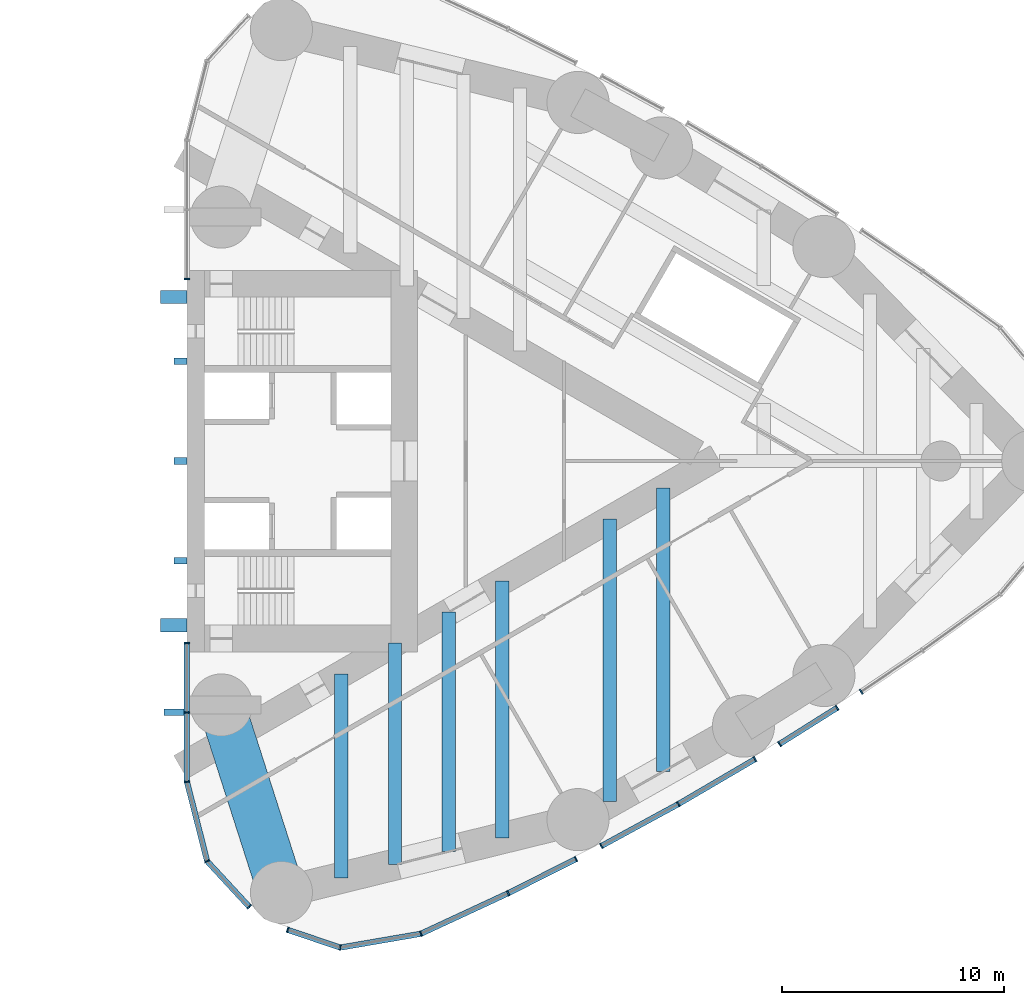
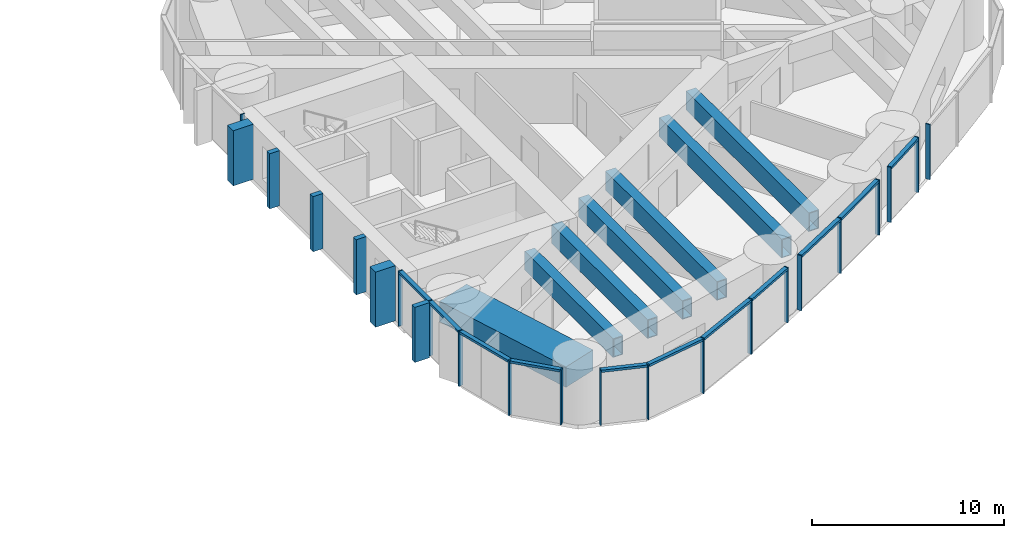
# One storey, part 6 of 17: 34 members, 7 beams, 6 elements without a shape of their own.
"""IFC4 building model written with IfcOpenShell, lengths in metres."""

from ifc_helpers import new_model, si_unit, direction, frame, origin, origin_2d, place, context, subcontext, project, spatial, rectangle, hollow_rectangle, extrude, material, material_profile, profile_set, type_object, element, aggregate, save


model = new_model("IFC4")

# Units and contexts
model_context = context("Model", 3, precision=1e-05, world=origin(), true_north=direction((0.0, 1.0)))
body_context = subcontext(model_context, "Body", "Model", "MODEL_VIEW")
ifc_project = project(units=[si_unit("LENGTHUNIT", "METRE"), si_unit("AREAUNIT", "SQUARE_METRE"), si_unit("VOLUMEUNIT", "CUBIC_METRE"), si_unit("PLANEANGLEUNIT", "RADIAN"), si_unit("MASSUNIT", "GRAM", prefix="KILO")], contexts=[model_context])

# Site, building, storey
site_placement = place(None, origin())
site = spatial("IfcSite", under=ifc_project, at=site_placement, CompositionType="ELEMENT")
building_placement = place(site_placement, origin())
building = spatial("IfcBuilding", under=site, at=building_placement, Name="Lancet Gate Hotel", CompositionType="ELEMENT")
storey_placement = place(building_placement, frame((0.0, 0.0, 201.800048828125)))
storey = spatial("IfcBuildingStorey", under=building, at=storey_placement, Name="L54", CompositionType="ELEMENT", Elevation=201.800048828125)

# Curtain wall, members
ifc_material_1 = material(Name="Aluminium curtain wall", Category="aluminium")
curtain_wall_type = type_object("IfcCurtainWallType", Name="Tower unitised curtain wall", PredefinedType="USERDEFINED", material=ifc_material_1)
curtain_wall_1_placement = place(storey_placement, origin())
curtain_wall_1 = element("IfcCurtainWall", 1, at=curtain_wall_1_placement, inside=storey, type_object=curtain_wall_type, Name="T2 L54 curtain wall 1", ObjectType="UNITISED CURTAIN WALL", PredefinedType="USERDEFINED")
ifc_material_2 = material(Name="Aluminium mullion", Category="aluminium")
ifc_material_profile_1 = material_profile(ifc_material_2, rectangle(XDim=0.06494140625, YDim=0.25, at=origin_2d()), Name="MULLION 65x250")
ifc_profile_set_1 = profile_set([ifc_material_profile_1], Name="Aluminium mullion")
member_type_1 = type_object("IfcMemberType", Name="Aluminium mullion 65x250", PredefinedType="MULLION", material=ifc_profile_set_1)
member_1_placement = place(storey_placement, frame((27.5, -8.199951171875, 0.0), z_axis=(0.0, 0.0, 1.0), x_axis=(0.0, -1.0, 0.0)))
member_1 = element("IfcMember", 2, at=member_1_placement, type_object=member_type_1, Name="T2 L54 curtain wall 1 mullion 1", PredefinedType="MULLION", context=body_context, shape_type="SweptSolid", body=[
    extrude(rectangle(XDim=0.06494140625, YDim=0.25, at=origin_2d()), origin(), (0.0, 0.0, 1.0), 3.5),
])
member_2_placement = place(storey_placement, frame((27.5, -11.332763671875, 0.0), z_axis=(0.0, 0.0, 1.0), x_axis=(0.0, -1.0, 0.0)))
member_2 = element("IfcMember", 3, at=member_2_placement, type_object=member_type_1, Name="T2 L54 curtain wall 1 mullion 2", PredefinedType="MULLION", context=body_context, shape_type="SweptSolid", body=[
    extrude(rectangle(XDim=0.06494140625, YDim=0.25, at=origin_2d()), origin(), (0.0, 0.0, 1.0), 3.5),
])
member_3_placement = place(storey_placement, frame((27.5, -14.465576171875, 0.0), z_axis=(0.0, 0.0, 1.0), x_axis=(0.134206524909, -0.990953383703, 0.0)))
member_3 = element("IfcMember", 4, at=member_3_placement, type_object=member_type_1, Name="T2 L54 curtain wall 1 mullion 3", PredefinedType="MULLION", context=body_context, shape_type="SweptSolid", body=[
    extrude(rectangle(XDim=0.06494140625, YDim=0.25, at=origin_2d()), origin(), (0.0, 0.0, 1.0), 3.5),
])
member_4_placement = place(storey_placement, frame((28.408935546875, -18.04443359375, 0.0), z_axis=(0.0, 0.0, 1.0), x_axis=(0.446204766842, -0.894930894565, 0.0)))
member_4 = element("IfcMember", 5, at=member_4_placement, type_object=member_type_1, Name="T2 L54 curtain wall 1 mullion 4", PredefinedType="MULLION", context=body_context, shape_type="SweptSolid", body=[
    extrude(rectangle(XDim=0.06494140625, YDim=0.25, at=origin_2d()), origin(), (0.0, 0.0, 1.0), 3.5),
])
member_5_placement = place(storey_placement, frame((30.309326171875, -20.10009765625, 0.0), z_axis=(0.0, 0.0, 1.0), x_axis=(0.67883123083, -0.734294327943, 0.0)))
member_5 = element("IfcMember", 6, at=member_5_placement, type_object=member_type_1, Name="T2 L54 curtain wall 1 mullion 5", PredefinedType="MULLION", context=body_context, shape_type="SweptSolid", body=[
    extrude(rectangle(XDim=0.06494140625, YDim=0.25, at=origin_2d()), origin(), (0.0, 0.0, 1.0), 3.5),
])

curtain_wall_2_placement = place(storey_placement, origin())
curtain_wall_2 = element("IfcCurtainWall", 7, at=curtain_wall_2_placement, inside=storey, type_object=curtain_wall_type, Name="T2 L54 curtain wall 2", ObjectType="UNITISED CURTAIN WALL", PredefinedType="USERDEFINED")
member_6_placement = place(storey_placement, frame((32.04248046875, -21.13818359375, 0.0), z_axis=(0.0, 0.0, 1.0), x_axis=(0.946952368511, -0.321373943827, 0.0)))
member_6 = element("IfcMember", 8, at=member_6_placement, type_object=member_type_1, Name="T2 L54 curtain wall 2 mullion 1", PredefinedType="MULLION", context=body_context, shape_type="SweptSolid", body=[
    extrude(rectangle(XDim=0.06494140625, YDim=0.25, at=origin_2d()), origin(), (0.0, 0.0, 1.0), 3.5),
])
member_7_placement = place(storey_placement, frame((34.412109375, -21.9423828125, 0.0), z_axis=(0.0, 0.0, 1.0), x_axis=(0.999558824872, -0.029701104706, 0.0)))
member_7 = element("IfcMember", 9, at=member_7_placement, type_object=member_type_1, Name="T2 L54 curtain wall 2 mullion 2", PredefinedType="MULLION", context=body_context, shape_type="SweptSolid", body=[
    extrude(rectangle(XDim=0.06494140625, YDim=0.25, at=origin_2d()), origin(), (0.0, 0.0, 1.0), 3.5),
])
member_8_placement = place(storey_placement, frame((38.05126953125, -21.31689453125, 0.0), z_axis=(0.0, 0.0, 1.0), x_axis=(0.951355493327, 0.308095318555, 0.0)))
member_8 = element("IfcMember", 10, at=member_8_placement, type_object=member_type_1, Name="T2 L54 curtain wall 2 mullion 3", PredefinedType="MULLION", context=body_context, shape_type="SweptSolid", body=[
    extrude(rectangle(XDim=0.06494140625, YDim=0.25, at=origin_2d()), origin(), (0.0, 0.0, 1.0), 3.5),
])
member_9_placement = place(storey_placement, frame((41.98193359375, -19.490966796875, 0.0), z_axis=(0.0, 0.0, 1.0), x_axis=(0.900945073021, 0.433933146232, 0.0)))
member_9 = element("IfcMember", 11, at=member_9_placement, type_object=member_type_1, Name="T2 L54 curtain wall 2 mullion 4", PredefinedType="MULLION", context=body_context, shape_type="SweptSolid", body=[
    extrude(rectangle(XDim=0.06494140625, YDim=0.25, at=origin_2d()), origin(), (0.0, 0.0, 1.0), 3.5),
])
member_10_placement = place(storey_placement, frame((45.04443359375, -17.94873046875, 0.0), z_axis=(0.0, 0.0, 1.0), x_axis=(0.893121465596, 0.449815570752, 0.0)))
member_10 = element("IfcMember", 12, at=member_10_placement, type_object=member_type_1, Name="T2 L54 curtain wall 2 mullion 5", PredefinedType="MULLION", context=body_context, shape_type="SweptSolid", body=[
    extrude(rectangle(XDim=0.06494140625, YDim=0.25, at=origin_2d()), origin(), (0.0, 0.0, 1.0), 3.5),
])

curtain_wall_3_placement = place(storey_placement, origin())
curtain_wall_3 = element("IfcCurtainWall", 13, at=curtain_wall_3_placement, inside=storey, type_object=curtain_wall_type, Name="T2 L54 curtain wall 3", ObjectType="UNITISED CURTAIN WALL", PredefinedType="USERDEFINED")
member_11_placement = place(storey_placement, frame((46.186279296875, -17.360107421875, 0.0), z_axis=(0.0, 0.0, 1.0), x_axis=(0.878409907967, 0.477907976063, 0.0)))
member_11 = element("IfcMember", 14, at=member_11_placement, type_object=member_type_1, Name="T2 L54 curtain wall 3 mullion 1", PredefinedType="MULLION", context=body_context, shape_type="SweptSolid", body=[
    extrude(rectangle(XDim=0.06494140625, YDim=0.25, at=origin_2d()), origin(), (0.0, 0.0, 1.0), 3.5),
])
member_12_placement = place(storey_placement, frame((49.65966796875, -15.47021484375, 0.0), z_axis=(0.0, 0.0, 1.0), x_axis=(0.870672329718, 0.491863491492, 0.0)))
member_12 = element("IfcMember", 15, at=member_12_placement, type_object=member_type_1, Name="T2 L54 curtain wall 3 mullion 2", PredefinedType="MULLION", context=body_context, shape_type="SweptSolid", body=[
    extrude(rectangle(XDim=0.06494140625, YDim=0.25, at=origin_2d()), origin(), (0.0, 0.0, 1.0), 3.5),
])
member_13_placement = place(storey_placement, frame((53.114990234375, -13.44580078125, 0.0), z_axis=(0.0, 0.0, 1.0), x_axis=(0.862815009772, 0.505519790822, 0.0)))
member_13 = element("IfcMember", 16, at=member_13_placement, type_object=member_type_1, Name="T2 L54 curtain wall 3 mullion 3", PredefinedType="MULLION", context=body_context, shape_type="SweptSolid", body=[
    extrude(rectangle(XDim=0.06494140625, YDim=0.25, at=origin_2d()), origin(), (0.0, 0.0, 1.0), 3.5),
])

curtain_wall_4_placement = place(storey_placement, origin())
curtain_wall_4 = element("IfcCurtainWall", 17, at=curtain_wall_4_placement, inside=storey, type_object=curtain_wall_type, Name="T2 L54 curtain wall 4", ObjectType="UNITISED CURTAIN WALL", PredefinedType="USERDEFINED")
member_14_placement = place(storey_placement, frame((54.219970703125, -12.7626953125, 0.0), z_axis=(0.0, 0.0, 1.0), x_axis=(0.846352453444, 0.532623248225, 0.0)))
member_14 = element("IfcMember", 18, at=member_14_placement, type_object=member_type_1, Name="T2 L54 curtain wall 4 mullion 1", PredefinedType="MULLION", context=body_context, shape_type="SweptSolid", body=[
    extrude(rectangle(XDim=0.06494140625, YDim=0.25, at=origin_2d()), origin(), (0.0, 0.0, 1.0), 3.5),
])
member_15_placement = place(storey_placement, frame((56.81591796875, -11.129150390625, 0.0), z_axis=(0.0, 0.0, 1.0), x_axis=(0.846352453444, 0.532623248225, 0.0)))
member_15 = element("IfcMember", 19, at=member_15_placement, type_object=member_type_1, Name="T2 L54 curtain wall 4 mullion 2", PredefinedType="MULLION", context=body_context, shape_type="SweptSolid", body=[
    extrude(rectangle(XDim=0.06494140625, YDim=0.25, at=origin_2d()), origin(), (0.0, 0.0, 1.0), 3.5),
])

# Curtain wall, member
curtain_wall_5_placement = place(storey_placement, origin())
curtain_wall_5 = element("IfcCurtainWall", 20, at=curtain_wall_5_placement, inside=storey, type_object=curtain_wall_type, Name="T2 L54 curtain wall 5", ObjectType="UNITISED CURTAIN WALL", PredefinedType="USERDEFINED")
member_16_placement = place(storey_placement, frame((57.90673828125, -10.404541015625, 0.0), z_axis=(0.0, 0.0, 1.0), x_axis=(0.829038793948, 0.559191092677, 0.0)))
member_16 = element("IfcMember", 21, at=member_16_placement, type_object=member_type_1, Name="T2 L54 curtain wall 5 mullion 1", PredefinedType="MULLION", context=body_context, shape_type="SweptSolid", body=[
    extrude(rectangle(XDim=0.06494140625, YDim=0.25, at=origin_2d()), origin(), (0.0, 0.0, 1.0), 3.5),
])
aggregate(curtain_wall_5, [member_16])

curtain_wall_6_placement = place(storey_placement, origin())
curtain_wall_6 = element("IfcCurtainWall", 22, at=curtain_wall_6_placement, inside=storey, type_object=curtain_wall_type, Name="T2 L54 curtain wall 10", ObjectType="UNITISED CURTAIN WALL", PredefinedType="USERDEFINED")
member_17_placement = place(storey_placement, frame((27.5, 8.199951171875, 0.0), z_axis=(0.0, 0.0, 1.0), x_axis=(0.0, -1.0, 0.0)))
member_17 = element("IfcMember", 23, at=member_17_placement, type_object=member_type_1, Name="T2 L54 curtain wall 10 mullion 5", PredefinedType="MULLION", context=body_context, shape_type="SweptSolid", body=[
    extrude(rectangle(XDim=0.06494140625, YDim=0.25, at=origin_2d()), origin(), (0.0, 0.0, 1.0), 3.5),
])
aggregate(curtain_wall_6, [member_17])

# Member
ifc_material_3 = material(Name="Aluminium transom", Category="aluminium")
ifc_material_profile_2 = material_profile(ifc_material_3, rectangle(XDim=0.25, YDim=0.14990234375, at=origin_2d()), Name="TRANSOM 250x150")
ifc_profile_set_2 = profile_set([ifc_material_profile_2], Name="Aluminium transom")
member_type_2 = type_object("IfcMemberType", Name="Aluminium transom 250x150", PredefinedType="USERDEFINED", material=ifc_profile_set_2)
member_18_placement = place(storey_placement, frame((27.5, -8.232421875, 3.425048828125), z_axis=(0.0, -1.0, 0.0), x_axis=(1.0, 0.0, 0.0)))
member_18 = element("IfcMember", 24, at=member_18_placement, type_object=member_type_2, Name="T2 L54 curtain wall 1 transom 1", ObjectType="TRANSOM", PredefinedType="USERDEFINED", context=body_context, shape_type="SweptSolid", body=[
    extrude(rectangle(XDim=0.25, YDim=0.14990234375, at=origin_2d()), origin(), (0.0, 0.0, 1.0), 3.06787109375),
])

member_19_placement = place(storey_placement, frame((27.5, -11.365234375, 3.425048828125), z_axis=(0.0, -1.0, 0.0), x_axis=(1.0, 0.0, 0.0)))
member_19 = element("IfcMember", 25, at=member_19_placement, type_object=member_type_2, Name="T2 L54 curtain wall 1 transom 2", ObjectType="TRANSOM", PredefinedType="USERDEFINED", context=body_context, shape_type="SweptSolid", body=[
    extrude(rectangle(XDim=0.25, YDim=0.14990234375, at=origin_2d()), origin(), (0.0, 0.0, 1.0), 3.06787109375),
])

member_20_placement = place(storey_placement, frame((27.508056640625, -14.4970703125, 3.425048828125), z_axis=(0.246128756616, -0.969237140831, 0.0), x_axis=(0.969237140831, 0.246128756616, 0.0)))
member_20 = element("IfcMember", 26, at=member_20_placement, type_object=member_type_2, Name="T2 L54 curtain wall 1 transom 3", ObjectType="TRANSOM", PredefinedType="USERDEFINED", context=body_context, shape_type="SweptSolid", body=[
    extrude(rectangle(XDim=0.25, YDim=0.14990234375, at=origin_2d()), origin(), (0.0, 0.0, 1.0), 3.62744140625),
])

member_21_placement = place(storey_placement, frame((28.43115234375, -18.068359375, 3.425048828125), z_axis=(0.678791722298, -0.734330850326, 0.0), x_axis=(0.734330850326, 0.678791722298, 0.0)))
member_21 = element("IfcMember", 27, at=member_21_placement, type_object=member_type_2, Name="T2 L54 curtain wall 1 transom 4", ObjectType="TRANSOM", PredefinedType="USERDEFINED", context=body_context, shape_type="SweptSolid", body=[
    extrude(rectangle(XDim=0.25, YDim=0.14990234375, at=origin_2d()), origin(), (0.0, 0.0, 1.0), 2.734130859375),
])

member_22_placement = place(storey_placement, frame((32.0732421875, -21.148681640625, 3.425048828125), z_axis=(0.946936244004, -0.321421451979, 0.0), x_axis=(0.321421451979, 0.946936244004, 0.0)))
member_22 = element("IfcMember", 28, at=member_22_placement, type_object=member_type_2, Name="T2 L54 curtain wall 2 transom 1", ObjectType="TRANSOM", PredefinedType="USERDEFINED", context=body_context, shape_type="SweptSolid", body=[
    extrude(rectangle(XDim=0.25, YDim=0.14990234375, at=origin_2d()), origin(), (0.0, 0.0, 1.0), 2.4375),
])

member_23_placement = place(storey_placement, frame((34.444091796875, -21.93701171875, 3.425048828125), z_axis=(0.985536950873, 0.169460669373, 0.0), x_axis=(-0.169460669373, 0.985536950873, 0.0)))
member_23 = element("IfcMember", 29, at=member_23_placement, type_object=member_type_2, Name="T2 L54 curtain wall 2 transom 2", ObjectType="TRANSOM", PredefinedType="USERDEFINED", context=body_context, shape_type="SweptSolid", body=[
    extrude(rectangle(XDim=0.25, YDim=0.14990234375, at=origin_2d()), origin(), (0.0, 0.0, 1.0), 3.627685546875),
])

member_24_placement = place(storey_placement, frame((38.080810546875, -21.30322265625, 3.425048828125), z_axis=(0.906913768492, 0.421316290357, 0.0), x_axis=(-0.421316290357, 0.906913768492, 0.0)))
member_24 = element("IfcMember", 30, at=member_24_placement, type_object=member_type_2, Name="T2 L54 curtain wall 2 transom 3", ObjectType="TRANSOM", PredefinedType="USERDEFINED", context=body_context, shape_type="SweptSolid", body=[
    extrude(rectangle(XDim=0.25, YDim=0.14990234375, at=origin_2d()), origin(), (0.0, 0.0, 1.0), 4.26904296875),
])

member_25_placement = place(storey_placement, frame((42.010986328125, -19.476318359375, 3.425048828125), z_axis=(0.893146167773, 0.449766520534, 0.0), x_axis=(-0.449766520534, 0.893146167773, 0.0)))
member_25 = element("IfcMember", 31, at=member_25_placement, type_object=member_type_2, Name="T2 L54 curtain wall 2 transom 4", ObjectType="TRANSOM", PredefinedType="USERDEFINED", context=body_context, shape_type="SweptSolid", body=[
    extrude(rectangle(XDim=0.25, YDim=0.14990234375, at=origin_2d()), origin(), (0.0, 0.0, 1.0), 3.36376953125),
])

aggregate(curtain_wall_2, [member_6, member_7, member_8, member_9, member_10, member_22, member_23, member_24, member_25])

member_26_placement = place(storey_placement, frame((46.21484375, -17.344482421875, 3.425048828125), z_axis=(0.878410858378, 0.477906229174, 0.0), x_axis=(-0.477906229174, 0.878410858378, 0.0)))
member_26 = element("IfcMember", 32, at=member_26_placement, type_object=member_type_2, Name="T2 L54 curtain wall 3 transom 1", ObjectType="TRANSOM", PredefinedType="USERDEFINED", context=body_context, shape_type="SweptSolid", body=[
    extrude(rectangle(XDim=0.25, YDim=0.14990234375, at=origin_2d()), origin(), (0.0, 0.0, 1.0), 3.88916015625),
])

member_27_placement = place(storey_placement, frame((49.687744140625, -15.453857421875, 3.425048828125), z_axis=(0.862815408154, 0.505519110868, 0.0), x_axis=(-0.505519110868, 0.862815408154, 0.0)))
member_27 = element("IfcMember", 33, at=member_27_placement, type_object=member_type_2, Name="T2 L54 curtain wall 3 transom 2", ObjectType="TRANSOM", PredefinedType="USERDEFINED", context=body_context, shape_type="SweptSolid", body=[
    extrude(rectangle(XDim=0.25, YDim=0.14990234375, at=origin_2d()), origin(), (0.0, 0.0, 1.0), 3.93994140625),
])

aggregate(curtain_wall_3, [member_11, member_12, member_13, member_26, member_27])

member_28_placement = place(storey_placement, frame((54.24755859375, -12.74560546875, 3.425048828125), z_axis=(0.846326531975, 0.532664435902, 0.0), x_axis=(-0.532664435902, 0.846326531975, 0.0)))
member_28 = element("IfcMember", 34, at=member_28_placement, type_object=member_type_2, Name="T2 L54 curtain wall 4 transom 1", ObjectType="TRANSOM", PredefinedType="USERDEFINED", context=body_context, shape_type="SweptSolid", body=[
    extrude(rectangle(XDim=0.25, YDim=0.14990234375, at=origin_2d()), origin(), (0.0, 0.0, 1.0), 3.002197265625),
])

aggregate(curtain_wall_4, [member_14, member_15, member_28])

# Members
ifc_material_4 = material(Name="Concrete C60/75", Category="concrete")
ifc_material_profile_3 = material_profile(ifc_material_4, rectangle(XDim=0.60009765625, YDim=1.199951171875, at=origin_2d()), Name="FIN 600x1200")
ifc_profile_set_3 = profile_set([ifc_material_profile_3], Name="Concrete C60/75")
member_type_3 = type_object("IfcMemberType", Name="Exposed concrete buttress pilaster 600x1200", PredefinedType="USERDEFINED", material=ifc_profile_set_3)
for number, where, z_axis, x_axis, name in (
    (35, (26.909912109375, -7.39990234375, 0.0), (0.0, 0.0, 1.0), (0.0, 1.0, 0.0), "T2 buttress pilaster S L54"),
    (36, (26.909912109375, 7.39990234375, 0.0), (0.0, 0.0, 1.0), (0.0, 1.0, 0.0), "T2 buttress pilaster N L54"),
):
    element("IfcMember", number, at=place(storey_placement, frame(where, z_axis=z_axis, x_axis=x_axis)), inside=storey, type_object=member_type_3, Name=name, ObjectType="FIN", PredefinedType="USERDEFINED", context=body_context, shape_type="SweptSolid", body=[
        extrude(rectangle(XDim=0.60009765625, YDim=1.199951171875, at=origin_2d()), origin(), (0.0, 0.0, 1.0), 3.5),
    ])

# Member
ifc_material_5 = material(Name="Precast concrete C50/60", Category="concrete")
ifc_material_profile_4 = material_profile(ifc_material_5, rectangle(XDim=0.300048828125, YDim=0.89990234375, at=origin_2d()), Name="FIN 300x900")
ifc_profile_set_4 = profile_set([ifc_material_profile_4], Name="Precast concrete C50/60")
member_type_4 = type_object("IfcMemberType", Name="Exposed concrete fin 300x900", PredefinedType="USERDEFINED", material=ifc_profile_set_4)
member_29_placement = place(storey_placement, frame((26.925048828125, -11.332763671875, 0.0), z_axis=(0.0, 0.0, 1.0), x_axis=(0.0, -1.0, 0.0)))
member_29 = element("IfcMember", 37, at=member_29_placement, type_object=member_type_4, Name="T2 L54 curtain wall 1 fin 2", ObjectType="FIN", PredefinedType="USERDEFINED", context=body_context, shape_type="SweptSolid", body=[
    extrude(rectangle(XDim=0.300048828125, YDim=0.89990234375, at=origin_2d()), origin(), (0.0, 0.0, 1.0), 3.5),
])

aggregate(curtain_wall_1, [member_1, member_2, member_29, member_3, member_4, member_5, member_18, member_19, member_20, member_21])

# Members
ifc_material_6 = material(Name="Concrete C60/75", Category="concrete")
ifc_material_profile_5 = material_profile(ifc_material_6, rectangle(XDim=0.300048828125, YDim=0.60009765625, at=origin_2d()), Name="FIN 300x600")
ifc_profile_set_5 = profile_set([ifc_material_profile_5], Name="Concrete C60/75")
member_type_5 = type_object("IfcMemberType", Name="Exposed concrete rib 300x600", PredefinedType="USERDEFINED", material=ifc_profile_set_5)
for number, where, z_axis, x_axis, name in (
    (38, (27.2099609375, -4.5, 0.0), (0.0, 0.0, 1.0), (0.0, 1.0, 0.0), "T2 core rib 1 L54"),
    (39, (27.2099609375, 0.0, 0.0), (0.0, 0.0, 1.0), (0.0, 1.0, 0.0), "T2 core rib 2 L54"),
    (40, (27.2099609375, 4.5, 0.0), (0.0, 0.0, 1.0), (0.0, 1.0, 0.0), "T2 core rib 3 L54"),
):
    element("IfcMember", number, at=place(storey_placement, frame(where, z_axis=z_axis, x_axis=x_axis)), inside=storey, type_object=member_type_5, Name=name, ObjectType="FIN", PredefinedType="USERDEFINED", context=body_context, shape_type="SweptSolid", body=[
        extrude(rectangle(XDim=0.300048828125, YDim=0.60009765625, at=origin_2d()), origin(), (0.0, 0.0, 1.0), 3.5),
    ])

# Beams
ifc_material_7 = material(Name="Steel S460QL", Category="steel")
ifc_material_profile_6 = material_profile(ifc_material_7, hollow_rectangle(XDim=0.60009765625, YDim=1.199951171875, WallThickness=0.050048828125, at=origin_2d()), Name="BOX 1200x600x50")
ifc_profile_set_6 = profile_set([ifc_material_profile_6], Name="Steel S460QL")
beam_type_1 = type_object("IfcBeamType", Name="Refuge floor beam BOX 1200x600x50", PredefinedType="BEAM", material=ifc_profile_set_6)
beam_1_placement = place(storey_placement, frame((34.460693359375, -18.7919921875, 2.64990234375), z_axis=(0.0, 1.0, 0.0), x_axis=(-1.0, 0.0, 0.0)))
element("IfcBeam", 41, at=beam_1_placement, inside=storey, type_object=beam_type_1, Name="T2 floor beam F01S L54", PredefinedType="BEAM", context=body_context, shape_type="SweptSolid", body=[
    extrude(hollow_rectangle(XDim=0.60009765625, YDim=1.199951171875, WallThickness=0.050048828125, at=origin_2d()), origin(), (0.0, 0.0, 1.0), 9.18408203125),
])
beam_2_placement = place(storey_placement, frame((36.880859375, -18.197021484375, 2.64990234375), z_axis=(0.0, 1.0, 0.0), x_axis=(-1.0, 0.0, 0.0)))
element("IfcBeam", 42, at=beam_2_placement, inside=storey, type_object=beam_type_1, Name="T2 floor beam F03S L54", PredefinedType="BEAM", context=body_context, shape_type="SweptSolid", body=[
    extrude(hollow_rectangle(XDim=0.60009765625, YDim=1.199951171875, WallThickness=0.050048828125, at=origin_2d()), origin(), (0.0, 0.0, 1.0), 9.986328125),
])
beam_3_placement = place(storey_placement, frame((39.301025390625, -17.60205078125, 2.64990234375), z_axis=(0.0, 1.0, 0.0), x_axis=(-1.0, 0.0, 0.0)))
element("IfcBeam", 43, at=beam_3_placement, inside=storey, type_object=beam_type_1, Name="T2 floor beam F05S L54", PredefinedType="BEAM", context=body_context, shape_type="SweptSolid", body=[
    extrude(hollow_rectangle(XDim=0.60009765625, YDim=1.199951171875, WallThickness=0.050048828125, at=origin_2d()), origin(), (0.0, 0.0, 1.0), 10.78857421875),
])
beam_4_placement = place(storey_placement, frame((41.721435546875, -17.007080078125, 2.64990234375), z_axis=(0.0, 1.0, 0.0), x_axis=(-1.0, 0.0, 0.0)))
element("IfcBeam", 44, at=beam_4_placement, inside=storey, type_object=beam_type_1, Name="T2 floor beam F07S L54", PredefinedType="BEAM", context=body_context, shape_type="SweptSolid", body=[
    extrude(hollow_rectangle(XDim=0.60009765625, YDim=1.199951171875, WallThickness=0.050048828125, at=origin_2d()), origin(), (0.0, 0.0, 1.0), 11.591064453125),
])
beam_5_placement = place(storey_placement, frame((46.561767578125, -15.36181640625, 2.64990234375), z_axis=(0.0, 1.0, 0.0), x_axis=(-1.0, 0.0, 0.0)))
element("IfcBeam", 45, at=beam_5_placement, inside=storey, type_object=beam_type_1, Name="T2 floor beam F09S L54", PredefinedType="BEAM", context=body_context, shape_type="SweptSolid", body=[
    extrude(hollow_rectangle(XDim=0.60009765625, YDim=1.199951171875, WallThickness=0.050048828125, at=origin_2d()), origin(), (0.0, 0.0, 1.0), 12.740478515625),
])
beam_6_placement = place(storey_placement, frame((48.98193359375, -13.994873046875, 2.64990234375), z_axis=(0.0, 1.0, 0.0), x_axis=(-1.0, 0.0, 0.0)))
element("IfcBeam", 46, at=beam_6_placement, inside=storey, type_object=beam_type_1, Name="T2 floor beam F10S L54", PredefinedType="BEAM", context=body_context, shape_type="SweptSolid", body=[
    extrude(hollow_rectangle(XDim=0.60009765625, YDim=1.199951171875, WallThickness=0.050048828125, at=origin_2d()), origin(), (0.0, 0.0, 1.0), 12.770751953125),
])
ifc_material_8 = material(Name="Concrete C50/60", Category="concrete")
ifc_material_profile_7 = material_profile(ifc_material_8, rectangle(XDim=2.10009765625, YDim=1.300048828125, at=origin_2d()), Name="RC 2100x1300")
ifc_profile_set_7 = profile_set([ifc_material_profile_7], Name="Concrete C50/60")
beam_type_2 = type_object("IfcBeamType", Name="Tie ring beam RC 2100x1300", PredefinedType="SPANDREL", material=ifc_profile_set_7)
beam_7_placement = place(storey_placement, frame((31.759765625, -19.455810546875, 2.599853515625), z_axis=(-0.305169772986, 0.952297962644, 0.0), x_axis=(-0.952297962644, -0.305169772986, 0.0)))
element("IfcBeam", 47, at=beam_7_placement, inside=storey, type_object=beam_type_2, Name="T2 tie ring beam RG2 L54", PredefinedType="SPANDREL", context=body_context, shape_type="SweptSolid", body=[
    extrude(rectangle(XDim=2.10009765625, YDim=1.300048828125, at=origin_2d()), origin(), (0.0, 0.0, 1.0), 8.87939453125),
])

save(model, "model.ifc")
